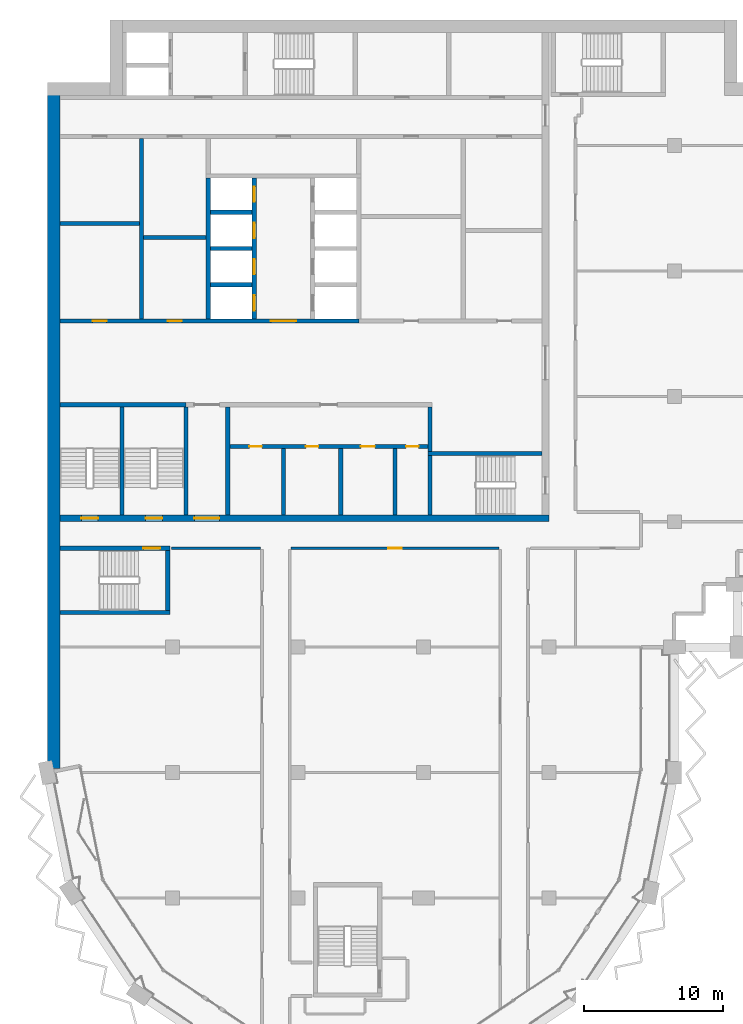
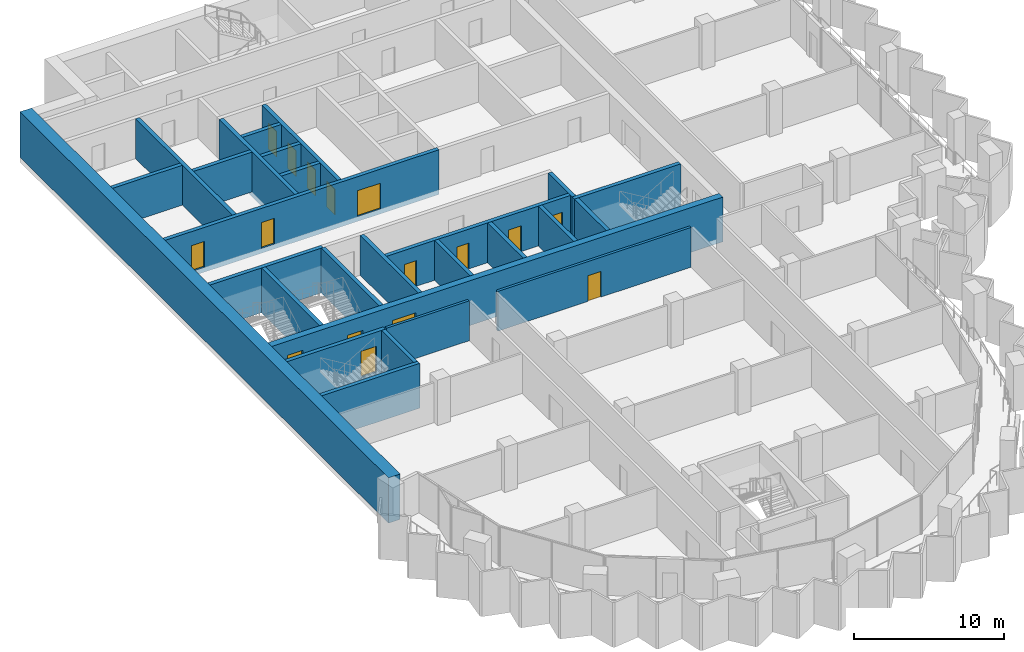
# One storey, part 9 of 17: 27 walls, 16 doors, 16 openings.
"""IFC4 building model written with IfcOpenShell, lengths in metres."""

from ifc_helpers import new_model, si_unit, direction, frame, frame_2d, origin, place, context, subcontext, project, spatial, rectangle, extrude, material, layer, layer_set, type_object, element, fill, save


model = new_model("IFC4")

# Units and contexts
model_context = context("Model", 3, precision=1e-05, world=origin(), true_north=direction((0.0, 1.0)))
body_context = subcontext(model_context, "Body", "Model", "MODEL_VIEW")
ifc_project = project(units=[si_unit("LENGTHUNIT", "METRE"), si_unit("AREAUNIT", "SQUARE_METRE"), si_unit("VOLUMEUNIT", "CUBIC_METRE"), si_unit("PLANEANGLEUNIT", "RADIAN"), si_unit("MASSUNIT", "GRAM", prefix="KILO")], contexts=[model_context])

# Site, building, storey
site_placement = place(None, origin())
site = spatial("IfcSite", under=ifc_project, at=site_placement, CompositionType="ELEMENT")
building_placement = place(site_placement, origin())
building = spatial("IfcBuilding", under=site, at=building_placement, Name="Hunhe Ridgeline Campus", CompositionType="ELEMENT")
storey_placement = place(building_placement, frame((0.0, 0.0, 272.5)))
storey = spatial("IfcBuildingStorey", under=building, at=storey_placement, Name="L70", CompositionType="ELEMENT", Elevation=272.5)

# Wall, openings, doors
ifc_material_1 = material(Name="Masonry concrete blockwork", Category="masonry")
ifc_layer_1 = layer(ifc_material_1, 0.300048828125)
ifc_layer_set_1 = layer_set([ifc_layer_1], Name="Core room partition 300 concrete block")
wall_type_1 = type_object("IfcWallType", Name="Core room partition 300 concrete block", PredefinedType="PARTITIONING", material=ifc_layer_set_1)
wall_1_placement = place(storey_placement, frame((13.10009765625, 68.39990234375, 0.0), z_axis=(0.0, 0.0, 1.0), x_axis=(1.0, 0.0, 0.0)))
wall_1 = element("IfcWall", 1, at=wall_1_placement, inside=storey, type_object=wall_type_1, Name="L70 core partition 7", PredefinedType="PARTITIONING", context=body_context, shape_type="SweptSolid", body=[
    extrude(rectangle(XDim=14.199951171875, YDim=0.300048828125, at=frame_2d((7.10009765625, 0.0))), origin(), (0.0, 0.0, 1.0), 3.25),
])
opening_1_placement = place(wall_1_placement, frame((1.39990234375, 0.0, 0.0)))
opening_1 = element("IfcOpeningElement", 2, at=opening_1_placement, cuts=wall_1, Name="Opening CD8", PredefinedType="OPENING", context=body_context, shape_type="SweptSolid", body=[
    extrude(rectangle(XDim=0.89990234375, YDim=2.10009765625, at=frame_2d((0.449951171875, 1.050048828125))), frame((0.0, 0.14990234375, 0.0), z_axis=(0.0, -1.0, 0.0), x_axis=(1.0, 0.0, 0.0)), (0.0, 0.0, 1.0), 0.300048828125),
])
opening_2_placement = place(wall_1_placement, frame((5.449951171875, 0.0, 0.0)))
opening_2 = element("IfcOpeningElement", 3, at=opening_2_placement, cuts=wall_1, Name="Opening CD9", PredefinedType="OPENING", context=body_context, shape_type="SweptSolid", body=[
    extrude(rectangle(XDim=0.89990234375, YDim=2.10009765625, at=frame_2d((0.449951171875, 1.050048828125))), frame((0.0, 0.14990234375, 0.0), z_axis=(0.0, -1.0, 0.0), x_axis=(1.0, 0.0, 0.0)), (0.0, 0.0, 1.0), 0.300048828125),
])
opening_3_placement = place(wall_1_placement, frame((9.39990234375, 0.0, 0.0)))
opening_3 = element("IfcOpeningElement", 4, at=opening_3_placement, cuts=wall_1, Name="Opening CD10", PredefinedType="OPENING", context=body_context, shape_type="SweptSolid", body=[
    extrude(rectangle(XDim=1.0, YDim=2.10009765625, at=frame_2d((0.5, 1.050048828125))), frame((0.0, 0.14990234375, 0.0), z_axis=(0.0, -1.0, 0.0), x_axis=(1.0, 0.0, 0.0)), (0.0, 0.0, 1.0), 0.300048828125),
])
opening_4_placement = place(wall_1_placement, frame((12.64990234375, 0.0, 0.0)))
opening_4 = element("IfcOpeningElement", 5, at=opening_4_placement, cuts=wall_1, Name="Opening CD11", PredefinedType="OPENING", context=body_context, shape_type="SweptSolid", body=[
    extrude(rectangle(XDim=0.89990234375, YDim=2.10009765625, at=frame_2d((0.449951171875, 1.050048828125))), frame((0.0, 0.14990234375, 0.0), z_axis=(0.0, -1.0, 0.0), x_axis=(1.0, 0.0, 0.0)), (0.0, 0.0, 1.0), 0.300048828125),
])
ifc_material_2 = material(Name="Solid core timber door leaf", Category="wood")
door_type_1 = type_object("IfcDoorType", Name="Timber door 1000x2100", OperationType="SINGLE_SWING_LEFT", PredefinedType="DOOR", material=ifc_material_2)
door_1_placement = place(opening_3_placement, frame((1.0, 0.0, 0.0), z_axis=(0.0, 0.0, 1.0), x_axis=(-1.0, 0.0, 0.0)))
door_1 = element("IfcDoor", 6, at=door_1_placement, inside=storey, type_object=door_type_1, Name="L70 door WC3", OperationType="SINGLE_SWING_LEFT", OverallHeight=2.10009765625, OverallWidth=1.0, PredefinedType="DOOR", context=body_context, shape_type="SweptSolid", body=[
    extrude(rectangle(XDim=1.0, YDim=2.10009765625, at=frame_2d((0.5, 1.050048828125))), frame((0.0, 0.02490234375, 0.0), z_axis=(0.0, -1.0, 0.0), x_axis=(1.0, 0.0, 0.0)), (0.0, 0.0, 1.0), 0.050048828125),
])
fill(opening_3, door_1)
door_type_2 = type_object("IfcDoorType", Name="Timber door 900x2100", OperationType="SINGLE_SWING_LEFT", PredefinedType="DOOR", material=ifc_material_2)
door_2_placement = place(opening_1_placement, frame((0.89990234375, 0.0, 0.0), z_axis=(0.0, 0.0, 1.0), x_axis=(-1.0, 0.0, 0.0)))
door_2 = element("IfcDoor", 7, at=door_2_placement, inside=storey, type_object=door_type_2, Name="L70 door WC1", OperationType="SINGLE_SWING_LEFT", OverallHeight=2.10009765625, OverallWidth=0.89990234375, PredefinedType="DOOR", context=body_context, shape_type="SweptSolid", body=[
    extrude(rectangle(XDim=0.89990234375, YDim=2.10009765625, at=frame_2d((0.449951171875, 1.050048828125))), frame((0.0, 0.02490234375, 0.0), z_axis=(0.0, -1.0, 0.0), x_axis=(1.0, 0.0, 0.0)), (0.0, 0.0, 1.0), 0.050048828125),
])
fill(opening_1, door_2)
door_3_placement = place(opening_2_placement, frame((0.89990234375, 0.0, 0.0), z_axis=(0.0, 0.0, 1.0), x_axis=(-1.0, 0.0, 0.0)))
door_3 = element("IfcDoor", 8, at=door_3_placement, inside=storey, type_object=door_type_2, Name="L70 door WC2", OperationType="SINGLE_SWING_RIGHT", OverallHeight=2.10009765625, OverallWidth=0.89990234375, PredefinedType="DOOR", context=body_context, shape_type="SweptSolid", body=[
    extrude(rectangle(XDim=0.89990234375, YDim=2.10009765625, at=frame_2d((0.449951171875, 1.050048828125))), frame((0.0, 0.02490234375, 0.0), z_axis=(0.0, -1.0, 0.0), x_axis=(1.0, 0.0, 0.0)), (0.0, 0.0, 1.0), 0.050048828125),
])
fill(opening_2, door_3)
door_4_placement = place(opening_4_placement, frame((0.89990234375, 0.0, 0.0), z_axis=(0.0, 0.0, 1.0), x_axis=(-1.0, 0.0, 0.0)))
door_4 = element("IfcDoor", 9, at=door_4_placement, inside=storey, type_object=door_type_2, Name="L70 door WC4", OperationType="SINGLE_SWING_RIGHT", OverallHeight=2.10009765625, OverallWidth=0.89990234375, PredefinedType="DOOR", context=body_context, shape_type="SweptSolid", body=[
    extrude(rectangle(XDim=0.89990234375, YDim=2.10009765625, at=frame_2d((0.449951171875, 1.050048828125))), frame((0.0, 0.02490234375, 0.0), z_axis=(0.0, -1.0, 0.0), x_axis=(1.0, 0.0, 0.0)), (0.0, 0.0, 1.0), 0.050048828125),
])
fill(opening_4, door_4)

# Walls
wall_2_placement = place(storey_placement, frame((6.89990234375, 83.39990234375, 0.0), z_axis=(0.0, 0.0, 1.0), x_axis=(1.0, 0.0, 0.0)))
element("IfcWall", 10, at=wall_2_placement, inside=storey, type_object=wall_type_1, Name="L70 core partition 16", PredefinedType="PARTITIONING", context=body_context, shape_type="SweptSolid", body=[
    extrude(rectangle(XDim=4.5, YDim=0.300048828125, at=frame_2d((2.25, 0.0))), origin(), (0.0, 0.0, 1.0), 3.25),
])
wall_3_placement = place(storey_placement, frame((0.89990234375, 84.39990234375, 0.0), z_axis=(0.0, 0.0, 1.0), x_axis=(1.0, 0.0, 0.0)))
element("IfcWall", 11, at=wall_3_placement, inside=storey, type_object=wall_type_1, Name="L70 core partition 18", PredefinedType="PARTITIONING", context=body_context, shape_type="SweptSolid", body=[
    extrude(rectangle(XDim=5.7001953125, YDim=0.300048828125, at=frame_2d((2.85009765625, 0.0))), origin(), (0.0, 0.0, 1.0), 3.25),
])
wall_4_placement = place(storey_placement, frame((6.75, 77.550048828125, 0.0), z_axis=(0.0, 0.0, 1.0), x_axis=(0.0, 1.0, 0.0)))
element("IfcWall", 12, at=wall_4_placement, inside=storey, type_object=wall_type_1, Name="L70 core partition 29", PredefinedType="PARTITIONING", context=body_context, shape_type="SweptSolid", body=[
    extrude(rectangle(XDim=12.949951171875, YDim=0.300048828125, at=frame_2d((6.47509765625, 0.0))), origin(), (0.0, 0.0, 1.0), 3.25),
])
wall_5_placement = place(storey_placement, frame((12.949951171875, 63.5, 0.0), z_axis=(0.0, 0.0, 1.0), x_axis=(0.0, 1.0, 0.0)))
element("IfcWall", 13, at=wall_5_placement, inside=storey, type_object=wall_type_1, Name="L70 core partition 35", PredefinedType="PARTITIONING", context=body_context, shape_type="SweptSolid", body=[
    extrude(rectangle(XDim=7.75, YDim=0.300048828125, at=frame_2d((3.875, 0.0))), origin(), (0.0, 0.0, 1.0), 3.25),
])
for number, where, z_axis, x_axis, name in (
    (14, (16.949951171875, 63.5, 0.0), (0.0, 0.0, 1.0), (0.0, 1.0, 0.0), "L70 core partition 38"),
    (15, (21.050048828125, 63.5, 0.0), (0.0, 0.0, 1.0), (0.0, 1.0, 0.0), "L70 core partition 41"),
    (16, (24.949951171875, 63.5, 0.0), (0.0, 0.0, 1.0), (0.0, 1.0, 0.0), "L70 core partition 46"),
):
    element("IfcWall", number, at=place(storey_placement, frame(where, z_axis=z_axis, x_axis=x_axis)), inside=storey, type_object=wall_type_1, Name=name, PredefinedType="PARTITIONING", context=body_context, shape_type="SweptSolid", body=[
        extrude(rectangle(XDim=4.75, YDim=0.300048828125, at=frame_2d((2.375, 0.0))), origin(), (0.0, 0.0, 1.0), 3.25),
    ])
wall_6_placement = place(storey_placement, frame((27.449951171875, 68.050048828125, 0.0), z_axis=(0.0, 0.0, 1.0), x_axis=(0.0, 1.0, 0.0)))
element("IfcWall", 17, at=wall_6_placement, inside=storey, type_object=wall_type_1, Name="L70 core partition 48", PredefinedType="PARTITIONING", context=body_context, shape_type="SweptSolid", body=[
    extrude(rectangle(XDim=3.199951171875, YDim=0.300048828125, at=frame_2d((1.60009765625, 0.0))), origin(), (0.0, 0.0, 1.0), 3.25),
])

# Wall, openings, doors
ifc_material_3 = material(Name="Concrete C50", Category="concrete")
ifc_layer_2 = layer(ifc_material_3, 0.5)
ifc_layer_set_2 = layer_set([ifc_layer_2], Name="Core wall 500 reinforced concrete C50")
wall_type_2 = type_object("IfcWallType", Name="Core wall 500 reinforced concrete C50", PredefinedType="SOLIDWALL", material=ifc_layer_set_2)
wall_7_placement = place(storey_placement, frame((0.89990234375, 63.25, -0.39990234375), z_axis=(0.0, 0.0, 1.0), x_axis=(1.0, 0.0, 0.0)))
wall_7 = element("IfcWall", 18, at=wall_7_placement, inside=storey, type_object=wall_type_2, Name="L70 core wall 5", PredefinedType="SOLIDWALL", context=body_context, shape_type="SweptSolid", body=[
    extrude(rectangle(XDim=35.10009765625, YDim=0.5, at=frame_2d((17.550048828125, 0.0))), origin(), (0.0, 0.0, 1.0), 3.64990234375),
])
opening_5_placement = place(wall_7_placement, frame((9.64990234375, 0.0, 0.39990234375)))
opening_5 = element("IfcOpeningElement", 19, at=opening_5_placement, cuts=wall_7, Name="Opening CD6", PredefinedType="OPENING", context=body_context, shape_type="SweptSolid", body=[
    extrude(rectangle(XDim=1.800048828125, YDim=2.10009765625, at=frame_2d((0.89990234375, 1.050048828125))), frame((0.0, 0.25, 0.0), z_axis=(0.0, -1.0, 0.0), x_axis=(1.0, 0.0, 0.0)), (0.0, 0.0, 1.0), 0.5),
])
opening_6_placement = place(wall_7_placement, frame((1.550048828125, 0.0, 0.39990234375)))
opening_6 = element("IfcOpeningElement", 20, at=opening_6_placement, cuts=wall_7, Name="Opening CD13", PredefinedType="OPENING", context=body_context, shape_type="SweptSolid", body=[
    extrude(rectangle(XDim=1.199951171875, YDim=2.10009765625, at=frame_2d((0.60009765625, 1.050048828125))), frame((0.0, 0.25, 0.0), z_axis=(0.0, -1.0, 0.0), x_axis=(1.0, 0.0, 0.0)), (0.0, 0.0, 1.0), 0.5),
])
opening_7_placement = place(wall_7_placement, frame((6.14990234375, 0.0, 0.39990234375)))
opening_7 = element("IfcOpeningElement", 21, at=opening_7_placement, cuts=wall_7, Name="Opening CD14", PredefinedType="OPENING", context=body_context, shape_type="SweptSolid", body=[
    extrude(rectangle(XDim=1.199951171875, YDim=2.10009765625, at=frame_2d((0.60009765625, 1.050048828125))), frame((0.0, 0.25, 0.0), z_axis=(0.0, -1.0, 0.0), x_axis=(1.0, 0.0, 0.0)), (0.0, 0.0, 1.0), 0.5),
])
ifc_material_4 = material(Name="Anodised aluminium and glass", Category="aluminium")
door_type_3 = type_object("IfcDoorType", Name="Glazed double door 1800x2100", OperationType="DOUBLE_DOOR_SINGLE_SWING", PredefinedType="DOOR", material=ifc_material_4)
door_5_placement = place(opening_5_placement, frame((1.800048828125, 0.0, 0.0), z_axis=(0.0, 0.0, 1.0), x_axis=(-1.0, 0.0, 0.0)))
door_5 = element("IfcDoor", 22, at=door_5_placement, inside=storey, type_object=door_type_3, Name="L70 door VEST-FLOOR", OperationType="DOUBLE_DOOR_SINGLE_SWING", OverallHeight=2.10009765625, OverallWidth=1.800048828125, PredefinedType="DOOR", context=body_context, shape_type="SweptSolid", body=[
    extrude(rectangle(XDim=1.800048828125, YDim=2.10009765625, at=frame_2d((0.89990234375, 1.050048828125))), frame((0.0, 0.02490234375, 0.0), z_axis=(0.0, -1.0, 0.0), x_axis=(1.0, 0.0, 0.0)), (0.0, 0.0, 1.0), 0.050048828125),
])
fill(opening_5, door_5)
ifc_material_5 = material(Name="Hollow metal fire door leaf")
door_type_4 = type_object("IfcDoorType", Name="Stair door 1200x2100 FD60", OperationType="SINGLE_SWING_LEFT", PredefinedType="DOOR", material=ifc_material_5)
door_6_placement = place(opening_6_placement, frame((1.199951171875, 0.0, 0.0), z_axis=(0.0, 0.0, 1.0), x_axis=(-1.0, 0.0, 0.0)))
door_6 = element("IfcDoor", 23, at=door_6_placement, inside=storey, type_object=door_type_4, Name="L70 door S3", OperationType="SINGLE_SWING_LEFT", OverallHeight=2.10009765625, OverallWidth=1.199951171875, PredefinedType="DOOR", context=body_context, shape_type="SweptSolid", body=[
    extrude(rectangle(XDim=1.199951171875, YDim=2.10009765625, at=frame_2d((0.60009765625, 1.050048828125))), frame((0.0, 0.02490234375, 0.0), z_axis=(0.0, -1.0, 0.0), x_axis=(1.0, 0.0, 0.0)), (0.0, 0.0, 1.0), 0.050048828125),
])
fill(opening_6, door_6)
door_7_placement = place(opening_7_placement, frame((1.199951171875, 0.0, 0.0), z_axis=(0.0, 0.0, 1.0), x_axis=(-1.0, 0.0, 0.0)))
door_7 = element("IfcDoor", 24, at=door_7_placement, inside=storey, type_object=door_type_4, Name="L70 door S4", OperationType="SINGLE_SWING_RIGHT", OverallHeight=2.10009765625, OverallWidth=1.199951171875, PredefinedType="DOOR", context=body_context, shape_type="SweptSolid", body=[
    extrude(rectangle(XDim=1.199951171875, YDim=2.10009765625, at=frame_2d((0.60009765625, 1.050048828125))), frame((0.0, 0.02490234375, 0.0), z_axis=(0.0, -1.0, 0.0), x_axis=(1.0, 0.0, 0.0)), (0.0, 0.0, 1.0), 0.050048828125),
])
fill(opening_7, door_7)

# Wall
ifc_material_6 = material(Name="Gypsum board partition")
ifc_layer_3 = layer(ifc_material_6, 0.199951171875)
ifc_layer_set_3 = layer_set([ifc_layer_3], Name="Corridor partition 200 gypsum board on steel studs")
wall_type_3 = type_object("IfcWallType", Name="Corridor partition 200 gypsum board on steel studs", PredefinedType="PARTITIONING", material=ifc_layer_set_3)
wall_8_placement = place(storey_placement, frame((15.300048828125, 61.10009765625, 0.0), z_axis=(0.0, 0.0, 1.0), x_axis=(-1.0, 0.0, 0.0)))
element("IfcWall", 25, at=wall_8_placement, inside=storey, type_object=wall_type_3, Name="F-L70-wall-024", PredefinedType="PARTITIONING", context=body_context, shape_type="SweptSolid", body=[
    extrude(rectangle(XDim=6.39599609375, YDim=0.199951171875, at=frame_2d((3.197998046875, 0.0))), origin(), (0.0, 0.0, 1.0), 3.25),
])

# Wall, opening, door
wall_9_placement = place(storey_placement, frame((32.39990234375, 61.10009765625, 0.0), z_axis=(0.0, 0.0, 1.0), x_axis=(-1.0, 0.0, 0.0)))
wall_9 = element("IfcWall", 26, at=wall_9_placement, inside=storey, type_object=wall_type_3, Name="F-L70-wall-025", PredefinedType="PARTITIONING", context=body_context, shape_type="SweptSolid", body=[
    extrude(rectangle(XDim=14.89990234375, YDim=0.199951171875, at=frame_2d((7.449951171875, 0.0))), origin(), (0.0, 0.0, 1.0), 3.25),
])
opening_8_placement = place(wall_9_placement, frame((6.949951171875, 0.0, 0.0)))
opening_8 = element("IfcOpeningElement", 27, at=opening_8_placement, cuts=wall_9, Name="Opening RD1-012", PredefinedType="OPENING", context=body_context, shape_type="SweptSolid", body=[
    extrude(rectangle(XDim=1.0, YDim=2.10009765625, at=frame_2d((0.5, 1.050048828125))), frame((0.0, 0.10009765625, 0.0), z_axis=(0.0, -1.0, 0.0), x_axis=(1.0, 0.0, 0.0)), (0.0, 0.0, 1.0), 0.199951171875),
])
ifc_material_7 = material(Name="Timber door leaf", Category="wood")
door_type_5 = type_object("IfcDoorType", Name="Single fire door 1000x2100 timber FD60", OperationType="NOTDEFINED", PredefinedType="DOOR", material=ifc_material_7)
door_8_placement = place(opening_8_placement, origin())
door_8 = element("IfcDoor", 28, at=door_8_placement, inside=storey, type_object=door_type_5, Name="F-L70-door-012", OperationType="SINGLE_SWING_RIGHT", OverallHeight=2.10009765625, OverallWidth=1.0, PredefinedType="DOOR", context=body_context, shape_type="SweptSolid", body=[
    extrude(rectangle(XDim=1.0, YDim=2.10009765625, at=frame_2d((0.5, 1.050048828125))), frame((0.0, 0.02490234375, 0.0), z_axis=(0.0, -1.0, 0.0), x_axis=(1.0, 0.0, 0.0)), (0.0, 0.0, 1.0), 0.050048828125),
])
fill(opening_8, door_8)

# Wall, openings, doors
ifc_layer_4 = layer(ifc_material_3, 0.300048828125)
ifc_layer_set_4 = layer_set([ifc_layer_4], Name="Shaft wall 300 reinforced concrete C50")
wall_type_4 = type_object("IfcWallType", Name="Shaft wall 300 reinforced concrete C50", PredefinedType="SOLIDWALL", material=ifc_layer_set_4)
wall_10_placement = place(storey_placement, frame((0.89990234375, 77.39990234375, -0.39990234375), z_axis=(0.0, 0.0, 1.0), x_axis=(1.0, 0.0, 0.0)))
wall_10 = element("IfcWall", 29, at=wall_10_placement, inside=storey, type_object=wall_type_4, Name="L70 core wall 10", PredefinedType="SOLIDWALL", context=body_context, shape_type="SweptSolid", body=[
    extrude(rectangle(XDim=21.4501953125, YDim=0.300048828125, at=frame_2d((10.72509765625, 0.0))), origin(), (0.0, 0.0, 1.0), 3.64990234375),
])
opening_9_placement = place(wall_10_placement, frame((15.14990234375, 0.0, 0.39990234375)))
opening_9 = element("IfcOpeningElement", 30, at=opening_9_placement, cuts=wall_10, Name="Opening CD38", PredefinedType="OPENING", context=body_context, shape_type="SweptSolid", body=[
    extrude(rectangle(XDim=1.800048828125, YDim=2.10009765625, at=frame_2d((0.89990234375, 1.050048828125))), frame((0.0, 0.14990234375, 0.0), z_axis=(0.0, -1.0, 0.0), x_axis=(1.0, 0.0, 0.0)), (0.0, 0.0, 1.0), 0.300048828125),
])
opening_10_placement = place(wall_10_placement, frame((2.35009765625, 0.0, 0.39990234375)))
opening_10 = element("IfcOpeningElement", 31, at=opening_10_placement, cuts=wall_10, Name="Opening CD39", PredefinedType="OPENING", context=body_context, shape_type="SweptSolid", body=[
    extrude(rectangle(XDim=1.0, YDim=2.10009765625, at=frame_2d((0.5, 1.050048828125))), frame((0.0, 0.14990234375, 0.0), z_axis=(0.0, -1.0, 0.0), x_axis=(1.0, 0.0, 0.0)), (0.0, 0.0, 1.0), 0.300048828125),
])
opening_11_placement = place(wall_10_placement, frame((7.75, 0.0, 0.39990234375)))
opening_11 = element("IfcOpeningElement", 32, at=opening_11_placement, cuts=wall_10, Name="Opening CD41", PredefinedType="OPENING", context=body_context, shape_type="SweptSolid", body=[
    extrude(rectangle(XDim=1.0, YDim=2.10009765625, at=frame_2d((0.5, 1.050048828125))), frame((0.0, 0.14990234375, 0.0), z_axis=(0.0, -1.0, 0.0), x_axis=(1.0, 0.0, 0.0)), (0.0, 0.0, 1.0), 0.300048828125),
])
door_type_6 = type_object("IfcDoorType", Name="Lobby door 1800x2100 FD60", OperationType="SINGLE_SWING_LEFT", PredefinedType="DOOR", material=ifc_material_5)
door_9_placement = place(opening_9_placement, frame((1.800048828125, 0.0, 0.0), z_axis=(0.0, 0.0, 1.0), x_axis=(-1.0, 0.0, 0.0)))
door_9 = element("IfcDoor", 33, at=door_9_placement, inside=storey, type_object=door_type_6, Name="L70 door LOB-HR", OperationType="SINGLE_SWING_RIGHT", OverallHeight=2.10009765625, OverallWidth=1.800048828125, PredefinedType="DOOR", context=body_context, shape_type="SweptSolid", body=[
    extrude(rectangle(XDim=1.800048828125, YDim=2.10009765625, at=frame_2d((0.89990234375, 1.050048828125))), frame((0.0, 0.02490234375, 0.0), z_axis=(0.0, -1.0, 0.0), x_axis=(1.0, 0.0, 0.0)), (0.0, 0.0, 1.0), 0.050048828125),
])
fill(opening_9, door_9)
door_10_placement = place(opening_10_placement, origin())
door_10 = element("IfcDoor", 34, at=door_10_placement, inside=storey, type_object=door_type_1, Name="L70 door VD-LR0", OperationType="SINGLE_SWING_RIGHT", OverallHeight=2.10009765625, OverallWidth=1.0, PredefinedType="DOOR", context=body_context, shape_type="SweptSolid", body=[
    extrude(rectangle(XDim=1.0, YDim=2.10009765625, at=frame_2d((0.5, 1.050048828125))), frame((0.0, 0.02490234375, 0.0), z_axis=(0.0, -1.0, 0.0), x_axis=(1.0, 0.0, 0.0)), (0.0, 0.0, 1.0), 0.050048828125),
])
fill(opening_10, door_10)
door_11_placement = place(opening_11_placement, origin())
door_11 = element("IfcDoor", 35, at=door_11_placement, inside=storey, type_object=door_type_1, Name="L70 door VD-LR2", OperationType="SINGLE_SWING_RIGHT", OverallHeight=2.10009765625, OverallWidth=1.0, PredefinedType="DOOR", context=body_context, shape_type="SweptSolid", body=[
    extrude(rectangle(XDim=1.0, YDim=2.10009765625, at=frame_2d((0.5, 1.050048828125))), frame((0.0, 0.02490234375, 0.0), z_axis=(0.0, -1.0, 0.0), x_axis=(1.0, 0.0, 0.0)), (0.0, 0.0, 1.0), 0.050048828125),
])
fill(opening_11, door_11)

# Walls
for number, where, z_axis, x_axis, name in (
    (36, (11.699951171875, 80.0, -0.39990234375), (0.0, 0.0, 1.0), (1.0, 0.0, 0.0), "L70 core wall 12"),
    (37, (11.699951171875, 82.60009765625, -0.39990234375), (0.0, 0.0, 1.0), (1.0, 0.0, 0.0), "L70 core wall 14"),
    (38, (11.699951171875, 85.199951171875, -0.39990234375), (0.0, 0.0, 1.0), (1.0, 0.0, 0.0), "L70 core wall 20"),
):
    element("IfcWall", number, at=place(storey_placement, frame(where, z_axis=z_axis, x_axis=x_axis)), inside=storey, type_object=wall_type_4, Name=name, PredefinedType="SOLIDWALL", context=body_context, shape_type="SweptSolid", body=[
        extrude(rectangle(XDim=3.0, YDim=0.300048828125, at=frame_2d((1.5, 0.0))), origin(), (0.0, 0.0, 1.0), 3.64990234375),
    ])
wall_11_placement = place(storey_placement, frame((11.550048828125, 77.550048828125, -0.39990234375), z_axis=(0.0, 0.0, 1.0), x_axis=(0.0, 1.0, 0.0)))
element("IfcWall", 39, at=wall_11_placement, inside=storey, type_object=wall_type_4, Name="L70 core wall 33", PredefinedType="SOLIDWALL", context=body_context, shape_type="SweptSolid", body=[
    extrude(rectangle(XDim=10.099853515625, YDim=0.300048828125, at=frame_2d((5.0498046875, 0.0))), origin(), (0.0, 0.0, 1.0), 3.64990234375),
])

# Wall, openings, doors
wall_12_placement = place(storey_placement, frame((14.85009765625, 77.550048828125, -0.39990234375), z_axis=(0.0, 0.0, 1.0), x_axis=(0.0, 1.0, 0.0)))
wall_12 = element("IfcWall", 40, at=wall_12_placement, inside=storey, type_object=wall_type_4, Name="L70 core wall 37", PredefinedType="SOLIDWALL", context=body_context, shape_type="SweptSolid", body=[
    extrude(rectangle(XDim=10.099853515625, YDim=0.300048828125, at=frame_2d((5.0498046875, 0.0))), origin(), (0.0, 0.0, 1.0), 3.64990234375),
])
opening_12_placement = place(wall_12_placement, frame((0.60009765625, 0.0, 0.39990234375)))
opening_12 = element("IfcOpeningElement", 41, at=opening_12_placement, cuts=wall_12, Name="Opening LD-HR1", PredefinedType="OPENING", context=body_context, shape_type="SweptSolid", body=[
    extrude(rectangle(XDim=1.10009765625, YDim=2.10009765625, at=frame_2d((0.550048828125, 1.050048828125))), frame((0.0, 0.14990234375, 0.0), z_axis=(0.0, -1.0, 0.0), x_axis=(1.0, 0.0, 0.0)), (0.0, 0.0, 1.0), 0.300048828125),
])
opening_13_placement = place(wall_12_placement, frame((3.199951171875, 0.0, 0.39990234375)))
opening_13 = element("IfcOpeningElement", 42, at=opening_13_placement, cuts=wall_12, Name="Opening LD-HR2", PredefinedType="OPENING", context=body_context, shape_type="SweptSolid", body=[
    extrude(rectangle(XDim=1.10009765625, YDim=2.10009765625, at=frame_2d((0.550048828125, 1.050048828125))), frame((0.0, 0.14990234375, 0.0), z_axis=(0.0, -1.0, 0.0), x_axis=(1.0, 0.0, 0.0)), (0.0, 0.0, 1.0), 0.300048828125),
])
opening_14_placement = place(wall_12_placement, frame((5.800048828125, 0.0, 0.39990234375)))
opening_14 = element("IfcOpeningElement", 43, at=opening_14_placement, cuts=wall_12, Name="Opening LD-HR3", PredefinedType="OPENING", context=body_context, shape_type="SweptSolid", body=[
    extrude(rectangle(XDim=1.10009765625, YDim=2.10009765625, at=frame_2d((0.550048828125, 1.050048828125))), frame((0.0, 0.14990234375, 0.0), z_axis=(0.0, -1.0, 0.0), x_axis=(1.0, 0.0, 0.0)), (0.0, 0.0, 1.0), 0.300048828125),
])
opening_15_placement = place(wall_12_placement, frame((8.39990234375, 0.0, 0.39990234375)))
opening_15 = element("IfcOpeningElement", 44, at=opening_15_placement, cuts=wall_12, Name="Opening LD-HR4", PredefinedType="OPENING", context=body_context, shape_type="SweptSolid", body=[
    extrude(rectangle(XDim=1.10009765625, YDim=2.10009765625, at=frame_2d((0.550048828125, 1.050048828125))), frame((0.0, 0.14990234375, 0.0), z_axis=(0.0, -1.0, 0.0), x_axis=(1.0, 0.0, 0.0)), (0.0, 0.0, 1.0), 0.300048828125),
])
ifc_material_8 = material(Name="Stainless steel sliding leaves", Category="steel")
door_type_7 = type_object("IfcDoorType", Name="Landing door 1100x2100 FD120", OperationType="SLIDING_TO_LEFT", PredefinedType="DOOR", material=ifc_material_8)
door_12_placement = place(opening_12_placement, origin())
door_12 = element("IfcDoor", 45, at=door_12_placement, inside=storey, type_object=door_type_7, Name="L70 landing door HR1", OperationType="SLIDING_TO_RIGHT", OverallHeight=2.10009765625, OverallWidth=1.10009765625, PredefinedType="DOOR", context=body_context, shape_type="SweptSolid", body=[
    extrude(rectangle(XDim=1.10009765625, YDim=2.10009765625, at=frame_2d((0.550048828125, 1.050048828125))), frame((0.0, 0.02490234375, 0.0), z_axis=(0.0, -1.0, 0.0), x_axis=(1.0, 0.0, 0.0)), (0.0, 0.0, 1.0), 0.050048828125),
])
fill(opening_12, door_12)
door_13_placement = place(opening_13_placement, origin())
door_13 = element("IfcDoor", 46, at=door_13_placement, inside=storey, type_object=door_type_7, Name="L70 landing door HR2", OperationType="SLIDING_TO_LEFT", OverallHeight=2.10009765625, OverallWidth=1.10009765625, PredefinedType="DOOR", context=body_context, shape_type="SweptSolid", body=[
    extrude(rectangle(XDim=1.10009765625, YDim=2.10009765625, at=frame_2d((0.550048828125, 1.050048828125))), frame((0.0, 0.02490234375, 0.0), z_axis=(0.0, -1.0, 0.0), x_axis=(1.0, 0.0, 0.0)), (0.0, 0.0, 1.0), 0.050048828125),
])
fill(opening_13, door_13)
door_14_placement = place(opening_14_placement, origin())
door_14 = element("IfcDoor", 47, at=door_14_placement, inside=storey, type_object=door_type_7, Name="L70 landing door HR3", OperationType="SLIDING_TO_RIGHT", OverallHeight=2.10009765625, OverallWidth=1.10009765625, PredefinedType="DOOR", context=body_context, shape_type="SweptSolid", body=[
    extrude(rectangle(XDim=1.10009765625, YDim=2.10009765625, at=frame_2d((0.550048828125, 1.050048828125))), frame((0.0, 0.02490234375, 0.0), z_axis=(0.0, -1.0, 0.0), x_axis=(1.0, 0.0, 0.0)), (0.0, 0.0, 1.0), 0.050048828125),
])
fill(opening_14, door_14)
door_15_placement = place(opening_15_placement, origin())
door_15 = element("IfcDoor", 48, at=door_15_placement, inside=storey, type_object=door_type_7, Name="L70 landing door HR4", OperationType="SLIDING_TO_LEFT", OverallHeight=2.10009765625, OverallWidth=1.10009765625, PredefinedType="DOOR", context=body_context, shape_type="SweptSolid", body=[
    extrude(rectangle(XDim=1.10009765625, YDim=2.10009765625, at=frame_2d((0.550048828125, 1.050048828125))), frame((0.0, 0.02490234375, 0.0), z_axis=(0.0, -1.0, 0.0), x_axis=(1.0, 0.0, 0.0)), (0.0, 0.0, 1.0), 0.050048828125),
])
fill(opening_15, door_15)

# Walls
ifc_material_9 = material(Name="Concrete C60", Category="concrete")
ifc_layer_5 = layer(ifc_material_9, 0.89990234375)
ifc_layer_set_5 = layer_set([ifc_layer_5], Name="Spine wall 900 Concrete C60")
wall_type_5 = type_object("IfcWallType", Name="Spine wall 900 Concrete C60", PredefinedType="SHEAR", material=ifc_layer_set_5)
wall_13_placement = place(storey_placement, frame((0.449951171875, 94.5, 0.0), z_axis=(0.0, 0.0, 1.0), x_axis=(0.0, -1.0, 0.0)))
element("IfcWall", 49, at=wall_13_placement, inside=storey, type_object=wall_type_5, Name="Spine wall SW3-1 L70", PredefinedType="SHEAR", context=body_context, shape_type="SweptSolid", body=[
    extrude(rectangle(XDim=49.199462890625, YDim=0.89990234375, at=frame_2d((24.599609375, 0.0))), origin(), (0.0, 0.0, 1.0), 3.699951171875),
])
ifc_layer_6 = layer(ifc_material_3, 0.300048828125)
ifc_layer_set_6 = layer_set([ifc_layer_6], Name="Stair wall 300 reinforced concrete C50")
wall_type_6 = type_object("IfcWallType", Name="Stair wall 300 reinforced concrete C50", PredefinedType="SOLIDWALL", material=ifc_layer_set_6)
wall_14_placement = place(storey_placement, frame((0.89990234375, 56.5, -0.39990234375), z_axis=(0.0, 0.0, 1.0), x_axis=(1.0, 0.0, 0.0)))
element("IfcWall", 50, at=wall_14_placement, inside=storey, type_object=wall_type_6, Name="L70 core wall 3", PredefinedType="SOLIDWALL", context=body_context, shape_type="SweptSolid", body=[
    extrude(rectangle(XDim=7.900146484375, YDim=0.300048828125, at=frame_2d((3.9501953125, 0.0))), origin(), (0.0, 0.0, 1.0), 3.64990234375),
])

# Wall, opening, door
wall_15_placement = place(storey_placement, frame((0.89990234375, 61.10009765625, -0.39990234375), z_axis=(0.0, 0.0, 1.0), x_axis=(1.0, 0.0, 0.0)))
wall_15 = element("IfcWall", 51, at=wall_15_placement, inside=storey, type_object=wall_type_6, Name="L70 core wall 4", PredefinedType="SOLIDWALL", context=body_context, shape_type="SweptSolid", body=[
    extrude(rectangle(XDim=7.900146484375, YDim=0.300048828125, at=frame_2d((3.9501953125, 0.0))), origin(), (0.0, 0.0, 1.0), 3.64990234375),
])
opening_16_placement = place(wall_15_placement, frame((6.0, 0.0, 0.39990234375)))
opening_16 = element("IfcOpeningElement", 52, at=opening_16_placement, cuts=wall_15, Name="Opening CD22", PredefinedType="OPENING", context=body_context, shape_type="SweptSolid", body=[
    extrude(rectangle(XDim=1.199951171875, YDim=2.10009765625, at=frame_2d((0.60009765625, 1.050048828125))), frame((0.0, 0.14990234375, 0.0), z_axis=(0.0, -1.0, 0.0), x_axis=(1.0, 0.0, 0.0)), (0.0, 0.0, 1.0), 0.300048828125),
])
door_16_placement = place(opening_16_placement, origin())
door_16 = element("IfcDoor", 53, at=door_16_placement, inside=storey, type_object=door_type_4, Name="L70 door W2", OperationType="SINGLE_SWING_LEFT", OverallHeight=2.10009765625, OverallWidth=1.199951171875, PredefinedType="DOOR", context=body_context, shape_type="SweptSolid", body=[
    extrude(rectangle(XDim=1.199951171875, YDim=2.10009765625, at=frame_2d((0.60009765625, 1.050048828125))), frame((0.0, 0.02490234375, 0.0), z_axis=(0.0, -1.0, 0.0), x_axis=(1.0, 0.0, 0.0)), (0.0, 0.0, 1.0), 0.050048828125),
])
fill(opening_16, door_16)

# Walls
wall_16_placement = place(storey_placement, frame((27.300048828125, 67.89990234375, -0.39990234375), z_axis=(0.0, 0.0, 1.0), x_axis=(1.0, 0.0, 0.0)))
element("IfcWall", 54, at=wall_16_placement, inside=storey, type_object=wall_type_6, Name="L70 core wall 6", PredefinedType="SOLIDWALL", context=body_context, shape_type="SweptSolid", body=[
    extrude(rectangle(XDim=8.199951171875, YDim=0.300048828125, at=frame_2d((4.10009765625, 0.0))), origin(), (0.0, 0.0, 1.0), 3.64990234375),
])
wall_17_placement = place(storey_placement, frame((0.89990234375, 71.39990234375, -0.39990234375), z_axis=(0.0, 0.0, 1.0), x_axis=(1.0, 0.0, 0.0)))
element("IfcWall", 55, at=wall_17_placement, inside=storey, type_object=wall_type_6, Name="L70 core wall 8", PredefinedType="SOLIDWALL", context=body_context, shape_type="SweptSolid", body=[
    extrude(rectangle(XDim=9.050048828125, YDim=0.300048828125, at=frame_2d((4.52490234375, 0.0))), origin(), (0.0, 0.0, 1.0), 3.64990234375),
])
wall_18_placement = place(storey_placement, frame((5.35009765625, 63.5, -0.39990234375), z_axis=(0.0, 0.0, 1.0), x_axis=(0.0, 1.0, 0.0)))
element("IfcWall", 56, at=wall_18_placement, inside=storey, type_object=wall_type_6, Name="L70 core wall 27", PredefinedType="SOLIDWALL", context=body_context, shape_type="SweptSolid", body=[
    extrude(rectangle(XDim=7.75, YDim=0.300048828125, at=frame_2d((3.875, 0.0))), origin(), (0.0, 0.0, 1.0), 3.64990234375),
])
wall_19_placement = place(storey_placement, frame((8.64990234375, 56.64990234375, -0.39990234375), z_axis=(0.0, 0.0, 1.0), x_axis=(0.0, 1.0, 0.0)))
element("IfcWall", 57, at=wall_19_placement, inside=storey, type_object=wall_type_6, Name="L70 core wall 30", PredefinedType="SOLIDWALL", context=body_context, shape_type="SweptSolid", body=[
    extrude(rectangle(XDim=4.300048828125, YDim=0.300048828125, at=frame_2d((2.14990234375, 0.0))), origin(), (0.0, 0.0, 1.0), 3.64990234375),
])
wall_20_placement = place(storey_placement, frame((9.949951171875, 63.5, -0.39990234375), z_axis=(0.0, 0.0, 1.0), x_axis=(0.0, 1.0, 0.0)))
element("IfcWall", 58, at=wall_20_placement, inside=storey, type_object=wall_type_6, Name="L70 core wall 32", PredefinedType="SOLIDWALL", context=body_context, shape_type="SweptSolid", body=[
    extrude(rectangle(XDim=7.75, YDim=0.300048828125, at=frame_2d((3.875, 0.0))), origin(), (0.0, 0.0, 1.0), 3.64990234375),
])
wall_21_placement = place(storey_placement, frame((27.449951171875, 63.5, -0.39990234375), z_axis=(0.0, 0.0, 1.0), x_axis=(0.0, 1.0, 0.0)))
element("IfcWall", 59, at=wall_21_placement, inside=storey, type_object=wall_type_6, Name="L70 core wall 47", PredefinedType="SOLIDWALL", context=body_context, shape_type="SweptSolid", body=[
    extrude(rectangle(XDim=4.25, YDim=0.300048828125, at=frame_2d((2.125, 0.0))), origin(), (0.0, 0.0, 1.0), 3.64990234375),
])

save(model, "model.ifc")
